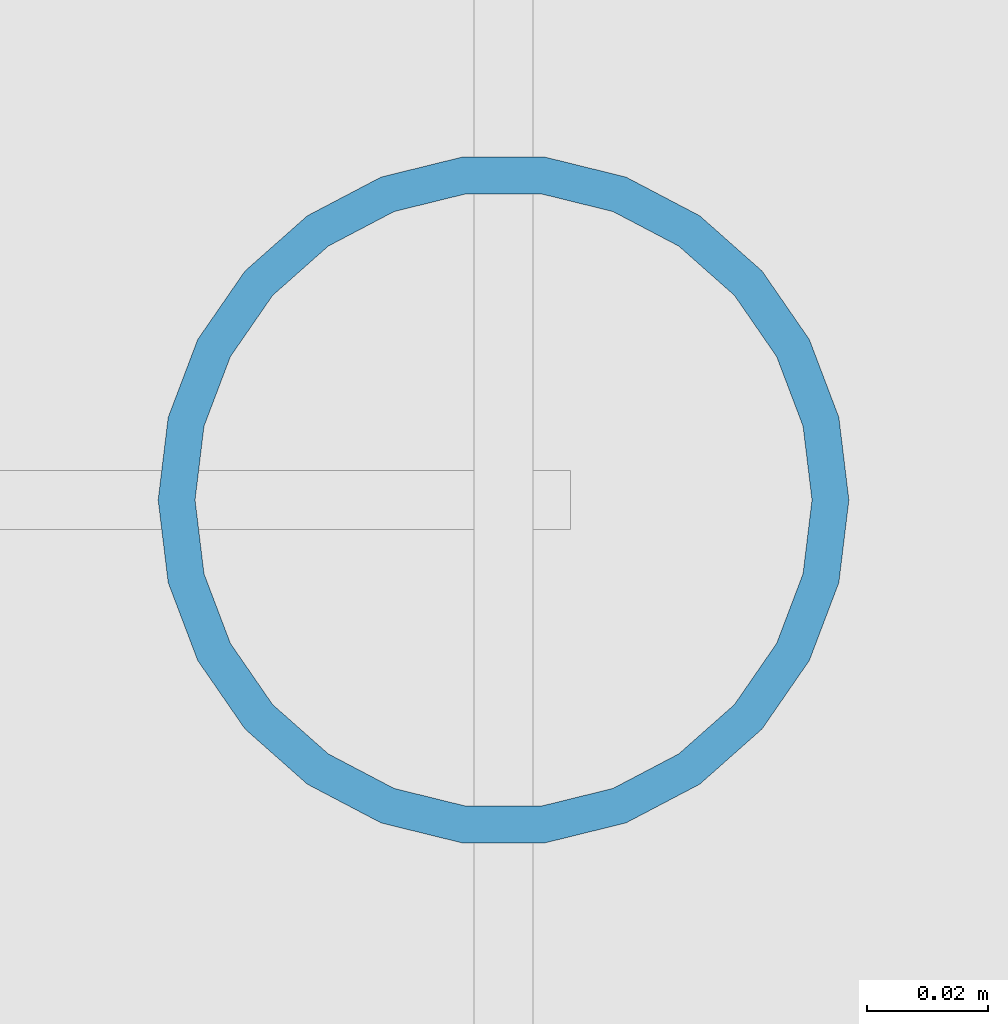
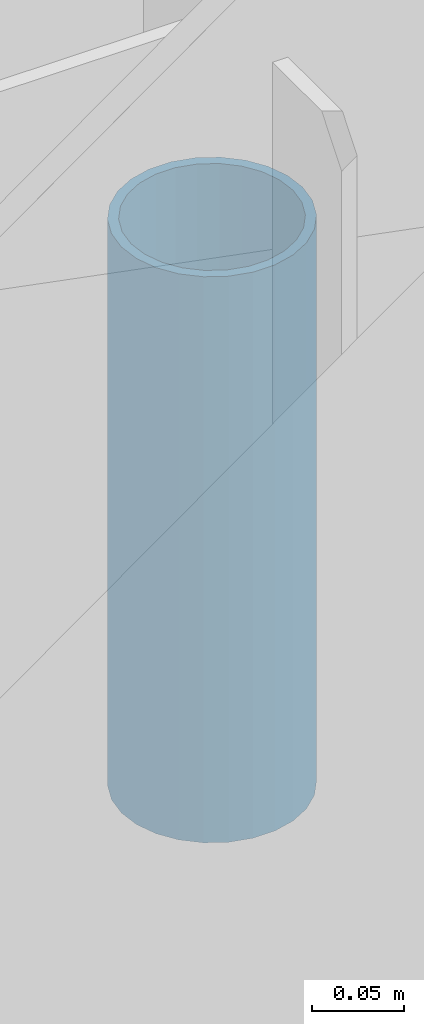
# One storey, part 53 of 118: 1 member.
"""IFC4 building model written with IfcOpenShell, lengths in metres."""

from ifc_helpers import new_model, si_unit, direction, frame, origin, origin_2d, place, context, subcontext, project, spatial, hollow_circle, extrude, material, material_profile, profile_set, type_object, element, save


model = new_model("IFC4")

# Units and contexts
model_context = context("Model", 3, precision=1e-05, world=origin(), true_north=direction((0.0, 1.0)))
body_context = subcontext(model_context, "Body", "Model", "MODEL_VIEW")
ifc_project = project(units=[si_unit("LENGTHUNIT", "METRE"), si_unit("AREAUNIT", "SQUARE_METRE"), si_unit("VOLUMEUNIT", "CUBIC_METRE"), si_unit("PLANEANGLEUNIT", "RADIAN"), si_unit("MASSUNIT", "GRAM", prefix="KILO")], contexts=[model_context])

# Site, building, storey
site_placement = place(None, origin())
site = spatial("IfcSite", under=ifc_project, at=site_placement, CompositionType="ELEMENT")
building_placement = place(site_placement, origin())
building = spatial("IfcBuilding", under=site, at=building_placement, Name="Saffron Lane Theatres", CompositionType="ELEMENT")
storey_placement = place(building_placement, frame((0.0, 0.0, 16.5)))
storey = spatial("IfcBuildingStorey", under=building, at=storey_placement, Name="L03", CompositionType="ELEMENT", Elevation=16.5)

# Member
ifc_material = material(Name="Steel Grade 350", Category="steel")
ifc_material_profile = material_profile(ifc_material, hollow_circle(Radius=0.05712890625, WallThickness=0.006103515625, at=origin_2d()))
ifc_profile_set = profile_set([ifc_material_profile], Name="Steel Grade 350")
member_type = type_object("IfcMemberType", Name="ST-STUDIO TRUSS WEB 114.3x6.0 CHS", PredefinedType="BRACE", material=ifc_profile_set)
member_placement = place(storey_placement, frame((52.0, 30.5, 4.75), z_axis=(0.0, 0.0, 1.0), x_axis=(1.0, 0.0, 0.0)))
element("IfcMember", 1, at=member_placement, inside=storey, type_object=member_type, Name="SB4-W4", PredefinedType="BRACE", context=body_context, shape_type="SweptSolid", body=[
    extrude(hollow_circle(Radius=0.05712890625, WallThickness=0.006103515625, at=origin_2d()), origin(), (0.0, 0.0, 1.0), 0.377197265625),
])

save(model, "model.ifc")
